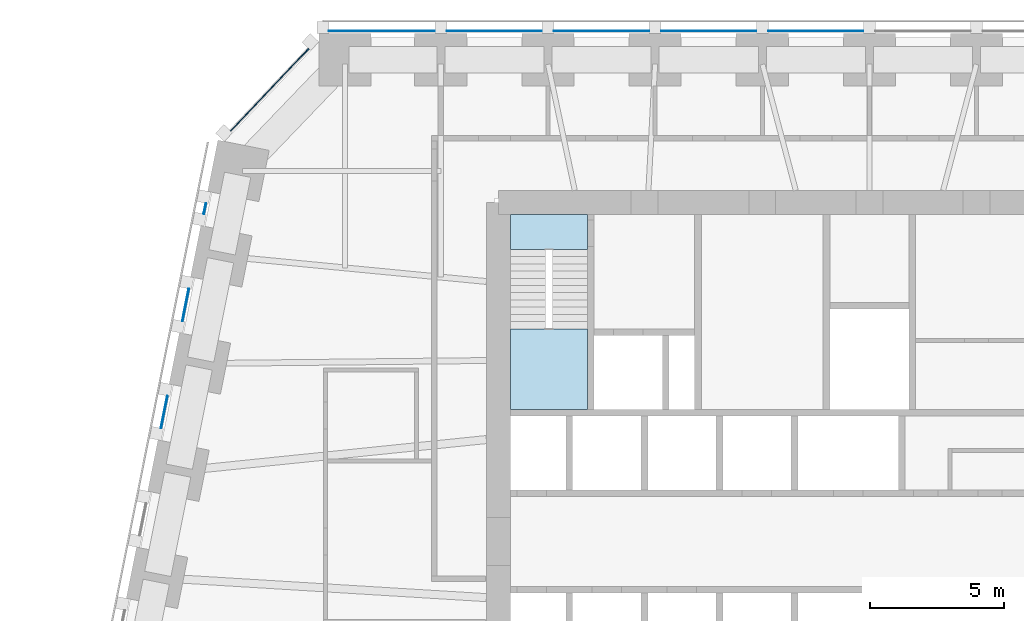
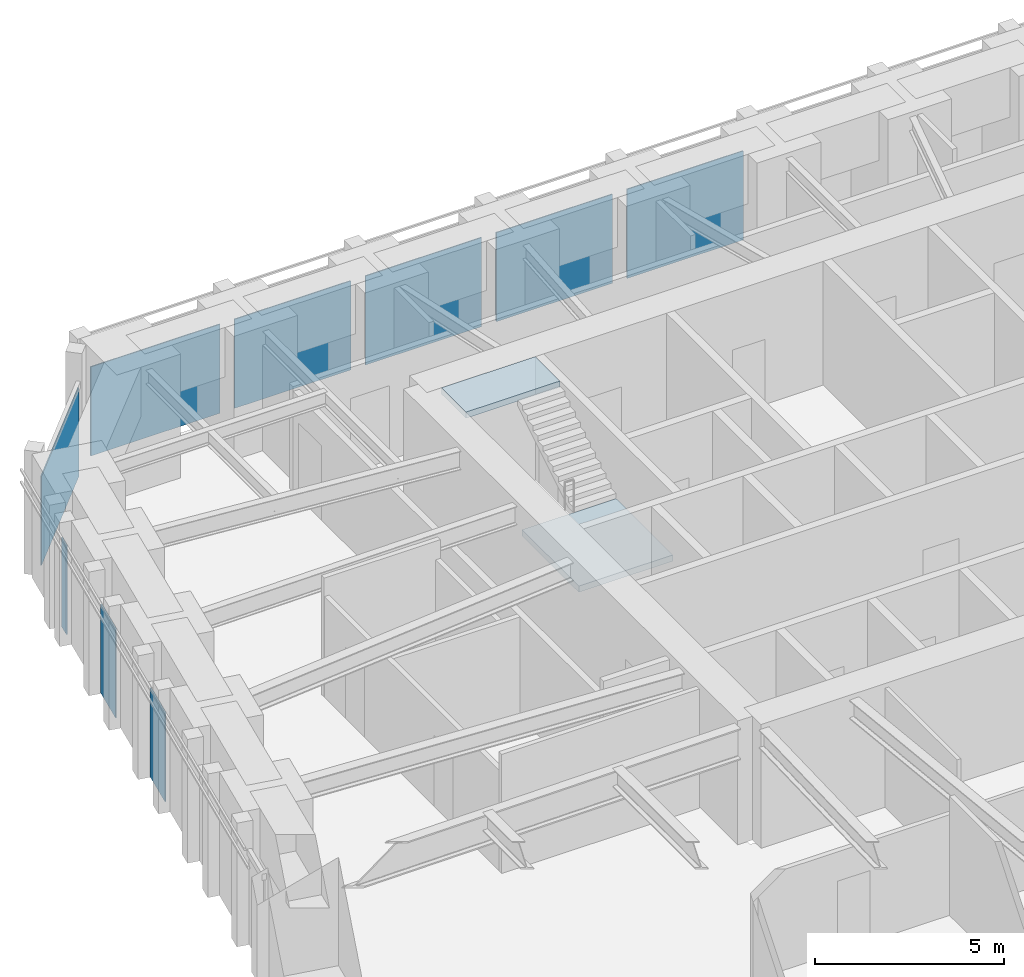
# One storey, part 10 of 16: 9 plates, 2 slabs, 6 elements without a shape of their own.
"""IFC4 building model written with IfcOpenShell, lengths in metres."""

import ifcopenshell
import ifcopenshell.guid

model = None  # the IFC model being written
_history = None  # IfcOwnerHistory: only IFC2X3 demands one
_inside = {}  # id of a spatial element -> (the spatial element, [elements in it])
_under = {}  # id of a project, library or spatial element -> (it, [spatial elements below it])
_declared = {}  # id of a project -> (the project, [libraries it declares])
_typed = {}  # id of a type object -> (the type object, [elements of that type])
_made_of = {}  # id of a material, layer set ... -> (it, [elements and type objects made of it])


def new_model(schema):
    """Start an empty IFC model of exactly this schema.

    Asked for "IFC4X3", IfcOpenShell would pick the latest addendum, in which some entities
    have other attributes; the version numbers below select the first issue.
    IFC2X3 requires an IfcOwnerHistory on every rooted entity: one is made here for all.
    """
    global model, _history
    if schema == "IFC4X3":
        model = ifcopenshell.file(schema_version=(4, 3, 0, 0))
    else:
        model = ifcopenshell.file(schema=schema)
    _inside.clear()
    _under.clear()
    _declared.clear()
    _typed.clear()
    _made_of.clear()
    _history = None
    if model.schema == "IFC2X3":
        org = make("IfcOrganization", Name="unknown")
        user = make(
            "IfcPersonAndOrganization",
            ThePerson=make("IfcPerson", FamilyName="unknown"),
            TheOrganization=org,
        )
        app = make(
            "IfcApplication",
            ApplicationDeveloper=org,
            Version="unknown",
            ApplicationFullName="unknown",
            ApplicationIdentifier="unknown",
        )
        _history = make(
            "IfcOwnerHistory",
            OwningUser=user,
            OwningApplication=app,
            ChangeAction="ADDED",
            CreationDate=0,
        )
    return model


def make(cls, **values):
    """One entity of the class cls with the attributes given. An attribute that is None is left unset."""
    return model.create_entity(
        cls, **{name: value for name, value in values.items() if value is not None}
    )


def rooted(cls, **values):
    """An entity with a GlobalId (a new one), such as an element, a storey or a relation."""
    return make(cls, GlobalId=ifcopenshell.guid.new(), OwnerHistory=_history, **values)


def si_unit(unit_type, name, prefix=None):
    """IfcSIUnit, for example si_unit("LENGTHUNIT", "METRE", prefix="MILLI")."""
    return make("IfcSIUnit", UnitType=unit_type, Prefix=prefix, Name=name)


def assignment(units):
    """IfcUnitAssignment: the units of a project."""
    return None if units is None else make("IfcUnitAssignment", Units=units)


def point(xyz):
    """IfcCartesianPoint."""
    return None if xyz is None else make("IfcCartesianPoint", Coordinates=xyz)


def direction(xyz):
    """IfcDirection."""
    return None if xyz is None else make("IfcDirection", DirectionRatios=xyz)


def frame(location, z_axis=None, x_axis=None):
    """IfcAxis2Placement3D, a coordinate frame: its origin and axes. An axis left out is left unset."""
    return make(
        "IfcAxis2Placement3D",
        Location=point(location),
        Axis=direction(z_axis),
        RefDirection=direction(x_axis),
    )


def frame_2d(location, x_axis=None):
    """IfcAxis2Placement2D, a coordinate frame in the plane: its origin and x axis."""
    return make(
        "IfcAxis2Placement2D", Location=point(location), RefDirection=direction(x_axis)
    )


def origin():
    """The frame at (0, 0, 0) with its axes left unset."""
    return frame((0.0, 0.0, 0.0))


def origin_2d():
    """The frame at (0, 0) in the plane with its x axis left unset."""
    return frame_2d((0.0, 0.0))


def place(relative_to, where):
    """IfcLocalPlacement: puts the frame where relative to a parent placement (None: the world)."""
    return make(
        "IfcLocalPlacement", PlacementRelTo=relative_to, RelativePlacement=where
    )


def context(
    kind, dimensions, precision=None, world=None, true_north=None, identifier=None
):
    """IfcGeometricRepresentationContext, for example the 3D "Model" context."""
    return make(
        "IfcGeometricRepresentationContext",
        ContextIdentifier=identifier,
        ContextType=kind,
        CoordinateSpaceDimension=dimensions,
        Precision=precision,
        WorldCoordinateSystem=world,
        TrueNorth=true_north,
    )


def subcontext(parent, identifier, kind, view, scale=None):
    """IfcGeometricRepresentationSubContext, for example "Body" below "Model"."""
    return make(
        "IfcGeometricRepresentationSubContext",
        ContextIdentifier=identifier,
        ContextType=kind,
        ParentContext=parent,
        TargetScale=scale,
        TargetView=view,
    )


def project(units=None, contexts=None):
    """IfcProject with its units and contexts."""
    return rooted(
        "IfcProject",
        Name="project",
        RepresentationContexts=contexts,
        UnitsInContext=assignment(units),
    )


def spatial(cls, under=None, at=None, **own):
    """A site, building, storey or space (cls), placed at a placement, below another one or the project."""
    s = rooted(cls, ObjectPlacement=at, **own)
    if under is not None:
        _under.setdefault(under.id(), (under, []))[1].append(s)
    return s


def polyline(points):
    """IfcPolyline through the points."""
    return make("IfcPolyline", Points=[point(p) for p in points])


def profile(cls, at=None, kind="AREA", **sizes):
    """A parametric profile (cls). Its sizes go by their IFC names, for example OverallWidth=200.0."""
    return make(cls, ProfileType=kind, Position=at, **sizes)


def rectangle(**sizes):
    """IfcRectangleProfileDef."""
    return profile("IfcRectangleProfileDef", **sizes)


def outline(outer, holes=None, kind="AREA"):
    """IfcArbitraryClosedProfileDef: a profile drawn as a closed curve; with holes, ...WithVoids."""
    if holes is None:
        return make("IfcArbitraryClosedProfileDef", ProfileType=kind, OuterCurve=outer)
    return make(
        "IfcArbitraryProfileDefWithVoids",
        ProfileType=kind,
        OuterCurve=outer,
        InnerCurves=holes,
    )


def extrude(swept, where, along, depth):
    """IfcExtrudedAreaSolid: the profile swept, set in the frame where, extruded along a direction by depth."""
    return make(
        "IfcExtrudedAreaSolid",
        SweptArea=swept,
        Position=where,
        ExtrudedDirection=direction(along),
        Depth=depth,
    )


def shape(context_of_items, identifier, shape_type, items):
    """IfcShapeRepresentation: the items that make up one representation, for example the "Body"."""
    return make(
        "IfcShapeRepresentation",
        ContextOfItems=context_of_items,
        RepresentationIdentifier=identifier,
        RepresentationType=shape_type,
        Items=items,
    )


def material(Name=None, Category=None):
    """IfcMaterial."""
    return make("IfcMaterial", Name=Name, Category=Category)


def layer(
    of_material, thickness, ventilated=None, Name=None, Category=None, Priority=None
):
    """IfcMaterialLayer: one layer of a wall or slab, of a material (None: an air gap)."""
    return make(
        "IfcMaterialLayer",
        Material=of_material,
        LayerThickness=thickness,
        IsVentilated=ventilated,
        Name=Name,
        Category=Category,
        Priority=Priority,
    )


def layer_set(layers, Name=None):
    """IfcMaterialLayerSet."""
    return make("IfcMaterialLayerSet", MaterialLayers=layers, LayerSetName=Name)


def made_of(thing, what):
    """Note that an element or type object is made of a material, layer set ...; save() writes the relation."""
    if what is not None:
        _made_of.setdefault(what.id(), (what, []))[1].append(thing)
    return thing


def type_object(cls, material=None, **own):
    """A type object (cls), such as IfcWallType, which elements share."""
    return made_of(rooted(cls, **own), material)


def element(
    cls,
    number,
    at=None,
    inside=None,
    cuts=None,
    type_object=None,
    material=None,
    context=None,
    identifier="Body",
    shape_type=None,
    held_by="IfcProductDefinitionShape",
    body=None,
    shapes=None,
    **own,
):
    """One element of the class cls, such as IfcWall. Its Tag is "e" and its number.

    at: its placement. inside: the storey or other place that contains it. cuts: it is an
    opening in that element (IfcRelVoidsElement). A single representation is given by context,
    identifier, shape_type and body (its items); several are given by shapes. held_by: the class
    of the entity that holds the representations. save() writes the other relations.
    """
    e = rooted(cls, Tag="e%d" % number, ObjectPlacement=at, **own)
    if body is not None:
        shapes = [shape(context, identifier, shape_type, body)]
    if shapes is not None:
        e.Representation = make(held_by, Representations=shapes)
    if inside is not None:
        _inside.setdefault(inside.id(), (inside, []))[1].append(e)
    if cuts is not None:
        rooted(
            "IfcRelVoidsElement", RelatingBuildingElement=cuts, RelatedOpeningElement=e
        )
    if type_object is not None:
        _typed.setdefault(type_object.id(), (type_object, []))[1].append(e)
    return made_of(e, material)


def aggregate(whole, parts):
    """IfcRelAggregates: a whole, such as a stair, and the parts it consists of."""
    return rooted("IfcRelAggregates", RelatingObject=whole, RelatedObjects=parts)


def save(model, path):
    """Write the relations noted so far, then the file.

    IfcRelAggregates (storeys below a building ...), IfcRelContainedInSpatialStructure (elements
    in a storey), IfcRelDefinesByType, IfcRelAssociatesMaterial and IfcRelDeclares: one each for
    every whole, place, type object, material and project.
    """
    for whole, parts in _under.values():
        aggregate(whole, parts)
    for where, things in _inside.values():
        rooted(
            "IfcRelContainedInSpatialStructure",
            RelatedElements=things,
            RelatingStructure=where,
        )
    for kind, things in _typed.values():
        rooted("IfcRelDefinesByType", RelatedObjects=things, RelatingType=kind)
    for what, things in _made_of.values():
        rooted("IfcRelAssociatesMaterial", RelatedObjects=things, RelatingMaterial=what)
    for by, libraries in _declared.values():
        rooted("IfcRelDeclares", RelatingContext=by, RelatedDefinitions=libraries)
    model.write(path)


model = new_model("IFC4")

# Units and contexts
model_context = context("Model", 3, precision=1e-05, world=origin(), true_north=direction((0.0, 1.0)))
body_context = subcontext(model_context, "Body", "Model", "MODEL_VIEW")
ifc_project = project(units=[si_unit("LENGTHUNIT", "METRE"), si_unit("AREAUNIT", "SQUARE_METRE"), si_unit("VOLUMEUNIT", "CUBIC_METRE"), si_unit("PLANEANGLEUNIT", "RADIAN"), si_unit("MASSUNIT", "GRAM", prefix="KILO")], contexts=[model_context])

# Site, building, storey
site_placement = place(None, origin())
site = spatial("IfcSite", under=ifc_project, at=site_placement, CompositionType="ELEMENT")
building_placement = place(site_placement, origin())
building = spatial("IfcBuilding", under=site, at=building_placement, Name="Isbrekke Arena Tower", CompositionType="ELEMENT")
storey_placement = place(building_placement, frame((0.0, 0.0, 32.0)))
storey = spatial("IfcBuildingStorey", under=building, at=storey_placement, Name="L05", CompositionType="ELEMENT", Elevation=32.0)

# Curtain wall, plates
ifc_material_1 = material(Name="Glazed aluminium curtain wall", Category="aluminium")
curtain_wall_type = type_object("IfcCurtainWallType", Name="CWL TOWER CURTAIN WALL LOW ZONE", PredefinedType="USERDEFINED", material=ifc_material_1)
curtain_wall_1_placement = place(storey_placement, origin())
curtain_wall_1 = element("IfcCurtainWall", 1, at=curtain_wall_1_placement, inside=storey, type_object=curtain_wall_type, Name="CWL curtain wall L05-N", ObjectType="TOWER CURTAIN WALL LOW ZONE", PredefinedType="USERDEFINED")
ifc_material_2 = material(Name="Triple-glazed clear glass unit", Category="glass")
ifc_layer_1 = layer(ifc_material_2, 0.031982421875)
ifc_layer_set_1 = layer_set([ifc_layer_1], Name="CWL-P VISION PANEL")
plate_type = type_object("IfcPlateType", Name="CWL-P VISION PANEL", PredefinedType="CURTAIN_PANEL", material=ifc_layer_set_1)
plate_1_placement = place(storey_placement, frame((-2.0, 30.25, 0.02001953125), z_axis=(0.0, 0.0, 1.0), x_axis=(-1.0, 0.0, 0.0)))
plate_1 = element("IfcPlate", 2, at=plate_1_placement, type_object=plate_type, Name="CWL-P panel 6", PredefinedType="CURTAIN_PANEL", context=body_context, shape_type="SweptSolid", body=[
    extrude(rectangle(XDim=3.550048828125, YDim=0.031982421875, at=origin_2d()), origin(), (0.0, 0.0, 1.0), 2.8798828125),
])
plate_2_placement = place(storey_placement, frame((-6.0, 30.25, 0.02001953125), z_axis=(0.0, 0.0, 1.0), x_axis=(-1.0, 0.0, 0.0)))
plate_2 = element("IfcPlate", 3, at=plate_2_placement, type_object=plate_type, Name="CWL-P panel 7", PredefinedType="CURTAIN_PANEL", context=body_context, shape_type="SweptSolid", body=[
    extrude(rectangle(XDim=3.550048828125, YDim=0.031982421875, at=origin_2d()), origin(), (0.0, 0.0, 1.0), 2.8798828125),
])
plate_3_placement = place(storey_placement, frame((-10.0, 30.25, 0.02001953125), z_axis=(0.0, 0.0, 1.0), x_axis=(-1.0, 0.0, 0.0)))
plate_3 = element("IfcPlate", 4, at=plate_3_placement, type_object=plate_type, Name="CWL-P panel 8", PredefinedType="CURTAIN_PANEL", context=body_context, shape_type="SweptSolid", body=[
    extrude(rectangle(XDim=3.550048828125, YDim=0.031982421875, at=origin_2d()), origin(), (0.0, 0.0, 1.0), 2.8798828125),
])
plate_4_placement = place(storey_placement, frame((-14.0, 30.25, 0.02001953125), z_axis=(0.0, 0.0, 1.0), x_axis=(-1.0, 0.0, 0.0)))
plate_4 = element("IfcPlate", 5, at=plate_4_placement, type_object=plate_type, Name="CWL-P panel 9", PredefinedType="CURTAIN_PANEL", context=body_context, shape_type="SweptSolid", body=[
    extrude(rectangle(XDim=3.550048828125, YDim=0.031982421875, at=origin_2d()), origin(), (0.0, 0.0, 1.0), 2.8798828125),
])
plate_5_placement = place(storey_placement, frame((-18.199951171875, 30.25, 0.02001953125), z_axis=(0.0, 0.0, 1.0), x_axis=(-1.0, 0.0, 0.0)))
plate_5 = element("IfcPlate", 6, at=plate_5_placement, type_object=plate_type, Name="CWL-P panel 10", PredefinedType="CURTAIN_PANEL", context=body_context, shape_type="SweptSolid", body=[
    extrude(rectangle(XDim=3.949951171875, YDim=0.031982421875, at=origin_2d()), origin(), (0.0, 0.0, 1.0), 2.8798828125),
])
aggregate(curtain_wall_1, [plate_1, plate_2, plate_3, plate_4, plate_5])

# Curtain wall, plate
curtain_wall_2_placement = place(storey_placement, origin())
curtain_wall_2 = element("IfcCurtainWall", 7, at=curtain_wall_2_placement, inside=storey, type_object=curtain_wall_type, Name="CWL curtain wall L05-NW", ObjectType="TOWER CURTAIN WALL LOW ZONE", PredefinedType="USERDEFINED")
plate_6_placement = place(storey_placement, frame((-22.38623046875, 28.054443359375, 0.02001953125), z_axis=(0.0, 0.0, 1.0), x_axis=(-0.68874946192, -0.72499943359, 0.0)))
plate_6 = element("IfcPlate", 8, at=plate_6_placement, type_object=plate_type, Name="CWL-P panel 1", PredefinedType="CURTAIN_PANEL", context=body_context, shape_type="SweptSolid", body=[
    extrude(rectangle(XDim=4.22802734375, YDim=0.031982421875, at=origin_2d()), origin(), (0.0, 0.0, 1.0), 2.8798828125),
])
aggregate(curtain_wall_2, [plate_6])

curtain_wall_3_placement = place(storey_placement, origin())
curtain_wall_3 = element("IfcCurtainWall", 9, at=curtain_wall_3_placement, inside=storey, type_object=curtain_wall_type, Name="CWL curtain wall L05-W", ObjectType="TOWER CURTAIN WALL LOW ZONE", PredefinedType="USERDEFINED")
plate_7_placement = place(storey_placement, frame((-24.80322265625, 23.62109375, 0.02001953125), z_axis=(0.0, 0.0, 1.0), x_axis=(-0.196116135138, -0.980580675691, 0.0)))
plate_7 = element("IfcPlate", 10, at=plate_7_placement, type_object=plate_type, Name="CWL-P panel 1", PredefinedType="CURTAIN_PANEL", context=body_context, shape_type="SweptSolid", body=[
    extrude(rectangle(XDim=0.40625, YDim=0.031982421875, at=origin_2d()), origin(), (0.0, 0.0, 1.0), 2.8798828125),
])
aggregate(curtain_wall_3, [plate_7])

curtain_wall_4_placement = place(storey_placement, origin())
curtain_wall_4 = element("IfcCurtainWall", 11, at=curtain_wall_4_placement, inside=storey, type_object=curtain_wall_type, Name="CWL curtain wall L05-W3", ObjectType="TOWER CURTAIN WALL LOW ZONE", PredefinedType="USERDEFINED")
plate_8_placement = place(storey_placement, frame((-25.5224609375, 20.0244140625, 0.02001953125), z_axis=(0.0, 0.0, 1.0), x_axis=(-0.196116135138, -0.980580675691, 0.0)))
plate_8 = element("IfcPlate", 12, at=plate_8_placement, type_object=plate_type, Name="CWL-P panel 1", PredefinedType="CURTAIN_PANEL", context=body_context, shape_type="SweptSolid", body=[
    extrude(rectangle(XDim=1.229248046875, YDim=0.031982421875, at=origin_2d()), origin(), (0.0, 0.0, 1.0), 2.8798828125),
])
aggregate(curtain_wall_4, [plate_8])

curtain_wall_5_placement = place(storey_placement, origin())
curtain_wall_5 = element("IfcCurtainWall", 13, at=curtain_wall_5_placement, inside=storey, type_object=curtain_wall_type, Name="CWL curtain wall L05-W5", ObjectType="TOWER CURTAIN WALL LOW ZONE", PredefinedType="USERDEFINED")
plate_9_placement = place(storey_placement, frame((-26.322509765625, 16.0244140625, 0.02001953125), z_axis=(0.0, 0.0, 1.0), x_axis=(-0.196116135138, -0.980580675691, 0.0)))
plate_9 = element("IfcPlate", 14, at=plate_9_placement, type_object=plate_type, Name="CWL-P panel 1", PredefinedType="CURTAIN_PANEL", context=body_context, shape_type="SweptSolid", body=[
    extrude(rectangle(XDim=1.229248046875, YDim=0.031982421875, at=origin_2d()), origin(), (0.0, 0.0, 1.0), 2.8798828125),
])
aggregate(curtain_wall_5, [plate_9])

# Stair, slabs
ifc_material_3 = material(Name="Concrete B45 (C45/55) precast", Category="concrete")
stair_type = type_object("IfcStairType", Name="ST40 STAIR 1300 WIDE, 24 RISERS 167", PredefinedType="HALF_TURN_STAIR", material=ifc_material_3)
stair_placement = place(storey_placement, origin())
stair = element("IfcStair", 15, at=stair_placement, inside=storey, type_object=stair_type, Name="ST1 stair L05", PredefinedType="HALF_TURN_STAIR")
ifc_material_4 = material(Name="Concrete B35 (C35/45)", Category="concrete")
ifc_layer_2 = layer(ifc_material_4, 0.199951171875)
ifc_layer_set_2 = layer_set([ifc_layer_2], Name="SL1 STAIR LANDING 200")
slab_type = type_object("IfcSlabType", Name="SL1 STAIR LANDING 200", PredefinedType="LANDING", material=ifc_layer_set_2)
slab_1_placement = place(storey_placement, frame((0.0, 0.0, 1.800048828125)))
slab_1 = element("IfcSlab", 16, at=slab_1_placement, type_object=slab_type, Name="ST1 landing 1", PredefinedType="LANDING", context=body_context, shape_type="SweptSolid", body=[
    extrude(outline(polyline([(-13.39990234375, 16.125), (-10.52490234375, 16.125), (-10.52490234375, 19.1298828125), (-13.39990234375, 19.1298828125), (-13.39990234375, 16.125)])), origin(), (0.0, 0.0, 1.0), 0.199951171875),
])
slab_2_placement = place(storey_placement, frame((0.0, 0.0, 3.800048828125)))
slab_2 = element("IfcSlab", 17, at=slab_2_placement, type_object=slab_type, Name="ST1 landing 2", PredefinedType="LANDING", context=body_context, shape_type="SweptSolid", body=[
    extrude(outline(polyline([(-13.39990234375, 22.10009765625), (-10.52490234375, 22.10009765625), (-10.52490234375, 23.39990234375), (-13.39990234375, 23.39990234375), (-13.39990234375, 22.10009765625)])), origin(), (0.0, 0.0, 1.0), 0.199951171875),
])
aggregate(stair, [slab_1, slab_2])

save(model, "model.ifc")
